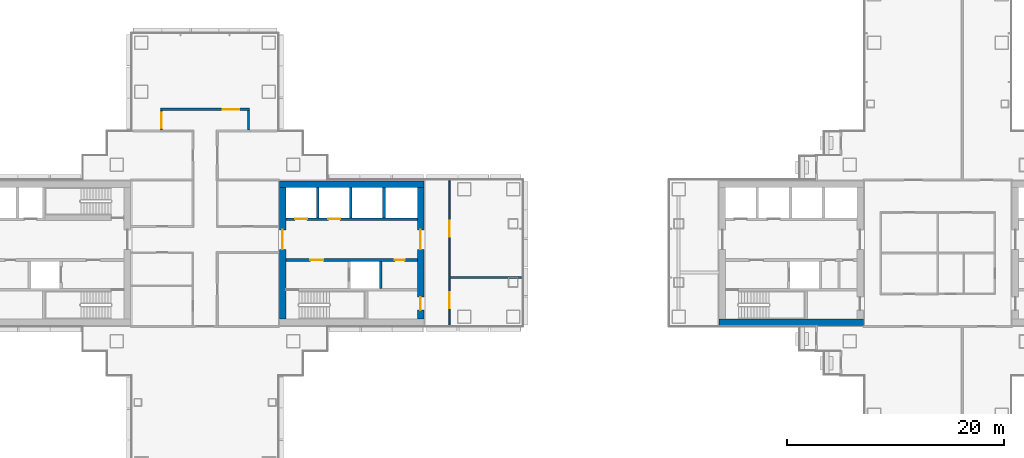
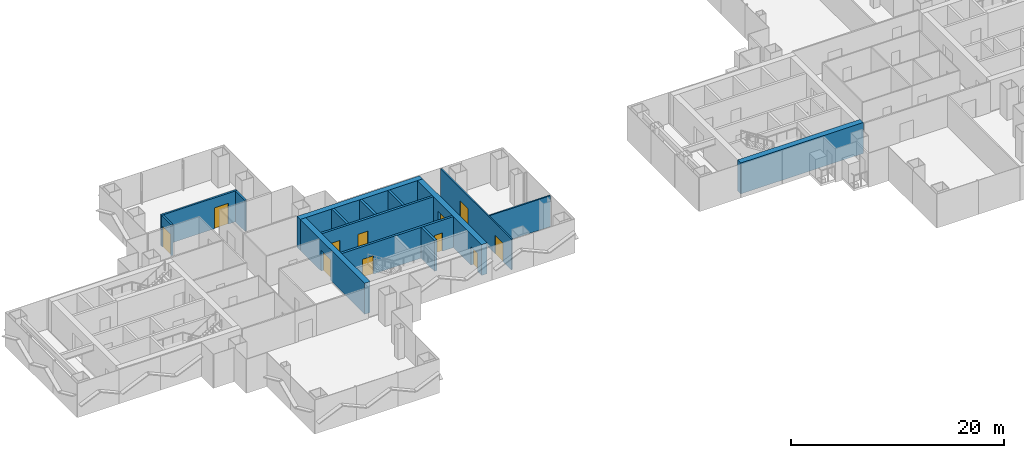
# One storey, part 12 of 19: 15 walls, 11 doors, 11 openings.
"""IFC4 building model written with IfcOpenShell, lengths in metres."""

from ifc_helpers import new_model, si_unit, direction, frame, frame_2d, origin, place, context, subcontext, project, spatial, rectangle, extrude, material, layer, layer_set, type_object, element, fill, save


model = new_model("IFC4")

# Units and contexts
model_context = context("Model", 3, precision=1e-05, world=origin(), true_north=direction((0.0, 1.0)))
body_context = subcontext(model_context, "Body", "Model", "MODEL_VIEW")
ifc_project = project(units=[si_unit("LENGTHUNIT", "METRE"), si_unit("AREAUNIT", "SQUARE_METRE"), si_unit("VOLUMEUNIT", "CUBIC_METRE"), si_unit("PLANEANGLEUNIT", "RADIAN"), si_unit("MASSUNIT", "GRAM", prefix="KILO")], contexts=[model_context])

# Site, building, storey
site_placement = place(None, origin())
site = spatial("IfcSite", under=ifc_project, at=site_placement, CompositionType="ELEMENT")
building_placement = place(site_placement, origin())
building = spatial("IfcBuilding", under=site, at=building_placement, Name="Shamsa Quay Exchange Towers", CompositionType="ELEMENT")
storey_placement = place(building_placement, frame((0.0, 0.0, 97.5)))
storey = spatial("IfcBuildingStorey", under=building, at=storey_placement, Name="L22", CompositionType="ELEMENT", Elevation=97.5)

# Wall, opening, door
ifc_material_1 = material(Name="Double-leaf gypsum board partition with acoustic insulation")
ifc_layer_1 = layer(ifc_material_1, 0.199951171875)
ifc_layer_set_1 = layer_set([ifc_layer_1], Name="Acoustic partition 200 mm EI 60")
wall_type_1 = type_object("IfcWallType", Name="Acoustic partition 200 mm EI 60", PredefinedType="PARTITIONING", material=ifc_layer_set_1)
wall_1_placement = place(storey_placement, frame((-37.75, 13.14990234375, 0.0), z_axis=(0.0, 0.0, 1.0), x_axis=(0.0, -1.0, 0.0)))
wall_1 = element("IfcWall", 1, at=wall_1_placement, inside=storey, type_object=wall_type_1, Name="Partition T1-R09-W13", PredefinedType="PARTITIONING", context=body_context, shape_type="SweptSolid", body=[
    extrude(rectangle(XDim=1.7998046875, YDim=0.199951171875, at=frame_2d((0.89990234375, 0.0))), origin(), (0.0, 0.0, 1.0), 3.550048828125),
])
opening_1_placement = place(wall_1_placement, frame((0.14990234375, 0.0, 0.0)))
opening_1 = element("IfcOpeningElement", 2, at=opening_1_placement, cuts=wall_1, Name="Opening T1-R09-D02", PredefinedType="OPENING", context=body_context, shape_type="SweptSolid", body=[
    extrude(rectangle(XDim=1.5, YDim=2.39990234375, at=frame_2d((0.75, 1.199951171875))), frame((0.0, 0.10986328125, 0.0), z_axis=(0.0, -1.0, 0.0), x_axis=(1.0, 0.0, 0.0)), (0.0, 0.0, 1.0), 0.219970703125),
])
ifc_material_2 = material(Name="Timber door leaf in a metal frame", Category="wood")
door_type_1 = type_object("IfcDoorType", Name="Door 1500x2400 FD30S pair", OperationType="NOTDEFINED", PredefinedType="DOOR", material=ifc_material_2)
door_1_placement = place(opening_1_placement, origin())
door_1 = element("IfcDoor", 3, at=door_1_placement, inside=storey, type_object=door_type_1, Name="Door T1-R09-D02", OperationType="DOUBLE_DOOR_SINGLE_SWING", OverallHeight=2.39990234375, OverallWidth=1.5, PredefinedType="DOOR", context=body_context, shape_type="SweptSolid", body=[
    extrude(rectangle(XDim=1.5, YDim=2.39990234375, at=frame_2d((0.75, 1.199951171875))), frame((0.0, 0.02490234375, 0.0), z_axis=(0.0, -1.0, 0.0), x_axis=(1.0, 0.0, 0.0)), (0.0, 0.0, 1.0), 0.050048828125),
])
fill(opening_1, door_1)

wall_2_placement = place(storey_placement, frame((-29.64990234375, 13.25, 0.0), z_axis=(0.0, 0.0, 1.0), x_axis=(-1.0, 0.0, 0.0)))
wall_2 = element("IfcWall", 4, at=wall_2_placement, inside=storey, type_object=wall_type_1, Name="Partition T1-R09-W14", PredefinedType="PARTITIONING", context=body_context, shape_type="SweptSolid", body=[
    extrude(rectangle(XDim=8.2001953125, YDim=0.199951171875, at=frame_2d((4.10009765625, 0.0))), origin(), (0.0, 0.0, 1.0), 3.550048828125),
])
opening_2_placement = place(wall_2_placement, frame((0.949951171875, 0.0, 0.0)))
opening_2 = element("IfcOpeningElement", 5, at=opening_2_placement, cuts=wall_2, Name="Opening T1-R09-D10", PredefinedType="OPENING", context=body_context, shape_type="SweptSolid", body=[
    extrude(rectangle(XDim=1.5, YDim=2.39990234375, at=frame_2d((0.75, 1.199951171875))), frame((0.0, 0.10986328125, 0.0), z_axis=(0.0, -1.0, 0.0), x_axis=(1.0, 0.0, 0.0)), (0.0, 0.0, 1.0), 0.219970703125),
])
door_2_placement = place(opening_2_placement, origin())
door_2 = element("IfcDoor", 6, at=door_2_placement, inside=storey, type_object=door_type_1, Name="Door T1-R09-D10", OperationType="DOUBLE_DOOR_SINGLE_SWING", OverallHeight=2.39990234375, OverallWidth=1.5, PredefinedType="DOOR", context=body_context, shape_type="SweptSolid", body=[
    extrude(rectangle(XDim=1.5, YDim=2.39990234375, at=frame_2d((0.75, 1.199951171875))), frame((0.0, 0.02490234375, 0.0), z_axis=(0.0, -1.0, 0.0), x_axis=(1.0, 0.0, 0.0)), (0.0, 0.0, 1.0), 0.050048828125),
])
fill(opening_2, door_2)

# Walls
wall_3_placement = place(storey_placement, frame((-29.75, 11.35009765625, 0.0), z_axis=(0.0, 0.0, 1.0), x_axis=(0.0, 1.0, 0.0)))
element("IfcWall", 7, at=wall_3_placement, inside=storey, type_object=wall_type_1, Name="Partition T1-R09-W15", PredefinedType="PARTITIONING", context=body_context, shape_type="SweptSolid", body=[
    extrude(rectangle(XDim=1.7998046875, YDim=0.199951171875, at=frame_2d((0.89990234375, 0.0))), origin(), (0.0, 0.0, 1.0), 3.550048828125),
])
ifc_material_3 = material(Name="Concrete C70/85", Category="concrete")
ifc_layer_2 = layer(ifc_material_3, 0.60009765625)
ifc_layer_set_2 = layer_set([ifc_layer_2], Name="CORE WALL 600 C70/85")
wall_type_2 = type_object("IfcWallType", Name="CORE WALL 600 C70/85", PredefinedType="SHEAR", material=ifc_layer_set_2)
wall_4_placement = place(storey_placement, frame((-26.89990234375, 6.35009765625, 0.0)))
element("IfcWall", 8, at=wall_4_placement, inside=storey, type_object=wall_type_2, Name="Core wall T1A-R09-PN", PredefinedType="SHEAR", context=body_context, shape_type="SweptSolid", body=[
    extrude(rectangle(XDim=13.2998046875, YDim=0.60009765625, at=frame_2d((6.64990234375, 0.0))), origin(), (0.0, 0.0, 1.0), 3.550048828125),
])

# Wall, opening, door
wall_5_placement = place(storey_placement, frame((-26.60009765625, 6.050048828125, 0.0), z_axis=(0.0, 0.0, 1.0), x_axis=(0.0, -1.0, 0.0)))
wall_5 = element("IfcWall", 9, at=wall_5_placement, inside=storey, type_object=wall_type_2, Name="Core wall T1A-R09-PF", PredefinedType="SHEAR", context=body_context, shape_type="SweptSolid", body=[
    extrude(rectangle(XDim=12.10009765625, YDim=0.60009765625, at=frame_2d((6.050048828125, 0.0))), origin(), (0.0, 0.0, 1.0), 3.550048828125),
])
opening_3_placement = place(wall_5_placement, frame((3.89990234375, 0.0, 0.0)))
opening_3 = element("IfcOpeningElement", 10, at=opening_3_placement, cuts=wall_5, Name="Opening T1A-R09-LBD01", PredefinedType="OPENING", context=body_context, shape_type="SweptSolid", body=[
    extrude(rectangle(XDim=1.800048828125, YDim=2.39990234375, at=frame_2d((0.89990234375, 1.199951171875))), frame((0.0, 0.31005859375, 0.0), z_axis=(0.0, -1.0, 0.0), x_axis=(1.0, 0.0, 0.0)), (0.0, 0.0, 1.0), 0.6201171875),
])
ifc_material_4 = material(Name="Steel, fire rated", Category="steel")
door_type_2 = type_object("IfcDoorType", Name="LIFT LOBBY DOOR PAIR 1800", OperationType="DOUBLE_DOOR_SINGLE_SWING", PredefinedType="DOOR", material=ifc_material_4)
door_3_placement = place(opening_3_placement, origin())
door_3 = element("IfcDoor", 11, at=door_3_placement, inside=storey, type_object=door_type_2, Name="T1A-R09-LBD01", OperationType="DOUBLE_DOOR_SINGLE_SWING", OverallHeight=2.39990234375, OverallWidth=1.800048828125, PredefinedType="DOOR", context=body_context, shape_type="SweptSolid", body=[
    extrude(rectangle(XDim=1.800048828125, YDim=2.39990234375, at=frame_2d((0.89990234375, 1.199951171875))), frame((0.0, 0.02490234375, 0.0), z_axis=(0.0, -1.0, 0.0), x_axis=(1.0, 0.0, 0.0)), (0.0, 0.0, 1.0), 0.050048828125),
])
fill(opening_3, door_3)

# Wall, openings, doors
wall_6_placement = place(storey_placement, frame((-13.89990234375, 6.050048828125, 0.0), z_axis=(0.0, 0.0, 1.0), x_axis=(0.0, -1.0, 0.0)))
wall_6 = element("IfcWall", 12, at=wall_6_placement, inside=storey, type_object=wall_type_2, Name="Core wall T1A-R09-PB", PredefinedType="SHEAR", context=body_context, shape_type="SweptSolid", body=[
    extrude(rectangle(XDim=12.10009765625, YDim=0.60009765625, at=frame_2d((6.050048828125, 0.0))), origin(), (0.0, 0.0, 1.0), 3.550048828125),
])
opening_4_placement = place(wall_6_placement, frame((10.10009765625, 0.0, 0.0)))
opening_4 = element("IfcOpeningElement", 13, at=opening_4_placement, cuts=wall_6, Name="Opening T1A-R09-RD02", PredefinedType="OPENING", context=body_context, shape_type="SweptSolid", body=[
    extrude(rectangle(XDim=1.199951171875, YDim=2.10009765625, at=frame_2d((0.60009765625, 1.050048828125))), frame((0.0, 0.31005859375, 0.0), z_axis=(0.0, -1.0, 0.0), x_axis=(1.0, 0.0, 0.0)), (0.0, 0.0, 1.0), 0.6201171875),
])
opening_5_placement = place(wall_6_placement, frame((3.89990234375, 0.0, 0.0)))
opening_5 = element("IfcOpeningElement", 14, at=opening_5_placement, cuts=wall_6, Name="Opening T1A-R09-LBD03", PredefinedType="OPENING", context=body_context, shape_type="SweptSolid", body=[
    extrude(rectangle(XDim=1.800048828125, YDim=2.39990234375, at=frame_2d((0.89990234375, 1.199951171875))), frame((0.0, 0.31005859375, 0.0), z_axis=(0.0, -1.0, 0.0), x_axis=(1.0, 0.0, 0.0)), (0.0, 0.0, 1.0), 0.6201171875),
])
door_4_placement = place(opening_5_placement, origin())
door_4 = element("IfcDoor", 15, at=door_4_placement, inside=storey, type_object=door_type_2, Name="T1A-R09-LBD03", OperationType="DOUBLE_DOOR_SINGLE_SWING", OverallHeight=2.39990234375, OverallWidth=1.800048828125, PredefinedType="DOOR", context=body_context, shape_type="SweptSolid", body=[
    extrude(rectangle(XDim=1.800048828125, YDim=2.39990234375, at=frame_2d((0.89990234375, 1.199951171875))), frame((0.0, 0.02490234375, 0.0), z_axis=(0.0, -1.0, 0.0), x_axis=(1.0, 0.0, 0.0)), (0.0, 0.0, 1.0), 0.050048828125),
])
fill(opening_5, door_4)
door_type_3 = type_object("IfcDoorType", Name="RISER ACCESS DOOR 1200", OperationType="SINGLE_SWING_LEFT", PredefinedType="DOOR", material=ifc_material_4)
door_5_placement = place(opening_4_placement, origin())
door_5 = element("IfcDoor", 16, at=door_5_placement, inside=storey, type_object=door_type_3, Name="T1A-R09-RD02", OperationType="SINGLE_SWING_RIGHT", OverallHeight=2.10009765625, OverallWidth=1.199951171875, PredefinedType="DOOR", context=body_context, shape_type="SweptSolid", body=[
    extrude(rectangle(XDim=1.199951171875, YDim=2.10009765625, at=frame_2d((0.60009765625, 1.050048828125))), frame((0.0, 0.02490234375, 0.0), z_axis=(0.0, -1.0, 0.0), x_axis=(1.0, 0.0, 0.0)), (0.0, 0.0, 1.0), 0.050048828125),
])
fill(opening_4, door_5)

# Wall
wall_7_placement = place(storey_placement, frame((13.60009765625, -6.35009765625, 0.0)))
element("IfcWall", 17, at=wall_7_placement, inside=storey, type_object=wall_type_2, Name="Core wall T2A-R09-PS", PredefinedType="SHEAR", context=body_context, shape_type="SweptSolid", body=[
    extrude(rectangle(XDim=13.2998046875, YDim=0.60009765625, at=frame_2d((6.64990234375, 0.0))), origin(), (0.0, 0.0, 1.0), 3.550048828125),
])

# Wall, openings, doors
ifc_material_5 = material(Name="Gypsum board partition on metal studs")
ifc_layer_3 = layer(ifc_material_5, 0.14990234375)
ifc_layer_set_3 = layer_set([ifc_layer_3], Name="Partition 150 mm EI 60")
wall_type_3 = type_object("IfcWallType", Name="Partition 150 mm EI 60", PredefinedType="PARTITIONING", material=ifc_layer_set_3)
wall_8_placement = place(storey_placement, frame((-11.25, 6.655029296875, 0.0), z_axis=(0.0, 0.0, 1.0), x_axis=(0.0, -1.0, 0.0)))
wall_8 = element("IfcWall", 18, at=wall_8_placement, inside=storey, type_object=wall_type_3, Name="Partition T1-R09-W17", PredefinedType="PARTITIONING", context=body_context, shape_type="SweptSolid", body=[
    extrude(rectangle(XDim=13.31005859375, YDim=0.14990234375, at=frame_2d((6.655029296875, 0.0))), origin(), (0.0, 0.0, 1.0), 3.550048828125),
])
opening_6_placement = place(wall_8_placement, frame((3.655029296875, 0.0, 0.0)))
opening_6 = element("IfcOpeningElement", 19, at=opening_6_placement, cuts=wall_8, Name="Opening T1-R09-D11", PredefinedType="OPENING", context=body_context, shape_type="SweptSolid", body=[
    extrude(rectangle(XDim=1.5, YDim=2.10009765625, at=frame_2d((0.75, 1.050048828125))), frame((0.0, 0.0849609375, 0.0), z_axis=(0.0, -1.0, 0.0), x_axis=(1.0, 0.0, 0.0)), (0.0, 0.0, 1.0), 0.169921875),
])
opening_7_placement = place(wall_8_placement, frame((10.2548828125, 0.0, 0.0)))
opening_7 = element("IfcOpeningElement", 20, at=opening_7_placement, cuts=wall_8, Name="Opening T1-R09-D12", PredefinedType="OPENING", context=body_context, shape_type="SweptSolid", body=[
    extrude(rectangle(XDim=1.5, YDim=2.10009765625, at=frame_2d((0.75, 1.050048828125))), frame((0.0, 0.0849609375, 0.0), z_axis=(0.0, -1.0, 0.0), x_axis=(1.0, 0.0, 0.0)), (0.0, 0.0, 1.0), 0.169921875),
])
door_type_4 = type_object("IfcDoorType", Name="Door 1500x2100 FD30S pair", OperationType="NOTDEFINED", PredefinedType="DOOR", material=ifc_material_2)
door_6_placement = place(opening_6_placement, origin())
door_6 = element("IfcDoor", 21, at=door_6_placement, inside=storey, type_object=door_type_4, Name="Door T1-R09-D11", OperationType="DOUBLE_DOOR_SINGLE_SWING", OverallHeight=2.10009765625, OverallWidth=1.5, PredefinedType="DOOR", context=body_context, shape_type="SweptSolid", body=[
    extrude(rectangle(XDim=1.5, YDim=2.10009765625, at=frame_2d((0.75, 1.050048828125))), frame((0.0, 0.02490234375, 0.0), z_axis=(0.0, -1.0, 0.0), x_axis=(1.0, 0.0, 0.0)), (0.0, 0.0, 1.0), 0.050048828125),
])
fill(opening_6, door_6)
door_7_placement = place(opening_7_placement, origin())
door_7 = element("IfcDoor", 22, at=door_7_placement, inside=storey, type_object=door_type_4, Name="Door T1-R09-D12", OperationType="DOUBLE_DOOR_SINGLE_SWING", OverallHeight=2.10009765625, OverallWidth=1.5, PredefinedType="DOOR", context=body_context, shape_type="SweptSolid", body=[
    extrude(rectangle(XDim=1.5, YDim=2.10009765625, at=frame_2d((0.75, 1.050048828125))), frame((0.0, 0.02490234375, 0.0), z_axis=(0.0, -1.0, 0.0), x_axis=(1.0, 0.0, 0.0)), (0.0, 0.0, 1.0), 0.050048828125),
])
fill(opening_7, door_7)

# Wall
wall_9_placement = place(storey_placement, frame((-4.594970703125, -2.25, 0.0), z_axis=(0.0, 0.0, 1.0), x_axis=(-1.0, 0.0, 0.0)))
element("IfcWall", 23, at=wall_9_placement, inside=storey, type_object=wall_type_3, Name="Partition T1-R09-W25", PredefinedType="PARTITIONING", context=body_context, shape_type="SweptSolid", body=[
    extrude(rectangle(XDim=6.580078125, YDim=0.14990234375, at=frame_2d((3.2900390625, 0.0))), origin(), (0.0, 0.0, 1.0), 3.550048828125),
])

# Wall, openings, doors
ifc_material_6 = material(Name="Concrete C50/60", Category="concrete")
ifc_layer_4 = layer(ifc_material_6, 0.25)
ifc_layer_set_4 = layer_set([ifc_layer_4], Name="SHAFT WALL 250 C50/60")
wall_type_4 = type_object("IfcWallType", Name="SHAFT WALL 250 C50/60", PredefinedType="SHEAR", material=ifc_layer_set_4)
wall_10_placement = place(storey_placement, frame((-14.199951171875, -0.625, 0.0), z_axis=(0.0, 0.0, 1.0), x_axis=(-1.0, 0.0, 0.0)))
wall_10 = element("IfcWall", 24, at=wall_10_placement, inside=storey, type_object=wall_type_4, Name="Shaft wall T1A-R09-B", PredefinedType="SHEAR", context=body_context, shape_type="SweptSolid", body=[
    extrude(rectangle(XDim=12.10009765625, YDim=0.25, at=frame_2d((6.050048828125, 0.0))), origin(), (0.0, 0.0, 1.0), 3.550048828125),
])
opening_8_placement = place(wall_10_placement, frame((8.64990234375, 0.0, 0.0)))
opening_8 = element("IfcOpeningElement", 25, at=opening_8_placement, cuts=wall_10, Name="Opening T1A-R09-FD05", PredefinedType="OPENING", context=body_context, shape_type="SweptSolid", body=[
    extrude(rectangle(XDim=1.199951171875, YDim=2.10009765625, at=frame_2d((0.60009765625, 1.050048828125))), frame((0.0, 0.135009765625, 0.0), z_axis=(0.0, -1.0, 0.0), x_axis=(1.0, 0.0, 0.0)), (0.0, 0.0, 1.0), 0.27001953125),
])
opening_9_placement = place(wall_10_placement, frame((1.175048828125, 0.0, 0.0)))
opening_9 = element("IfcOpeningElement", 26, at=opening_9_placement, cuts=wall_10, Name="Opening T1A-R09-SV06", PredefinedType="OPENING", context=body_context, shape_type="SweptSolid", body=[
    extrude(rectangle(XDim=0.89990234375, YDim=2.10009765625, at=frame_2d((0.449951171875, 1.050048828125))), frame((0.0, 0.135009765625, 0.0), z_axis=(0.0, -1.0, 0.0), x_axis=(1.0, 0.0, 0.0)), (0.0, 0.0, 1.0), 0.27001953125),
])
door_type_5 = type_object("IfcDoorType", Name="FIRE SERVICE LOBBY DOOR 1200", OperationType="SINGLE_SWING_LEFT", PredefinedType="DOOR", material=ifc_material_4)
door_8_placement = place(opening_8_placement, origin())
door_8 = element("IfcDoor", 27, at=door_8_placement, inside=storey, type_object=door_type_5, Name="T1A-R09-FD05", OperationType="SINGLE_SWING_RIGHT", OverallHeight=2.10009765625, OverallWidth=1.199951171875, PredefinedType="DOOR", context=body_context, shape_type="SweptSolid", body=[
    extrude(rectangle(XDim=1.199951171875, YDim=2.10009765625, at=frame_2d((0.60009765625, 1.050048828125))), frame((0.0, 0.02490234375, 0.0), z_axis=(0.0, -1.0, 0.0), x_axis=(1.0, 0.0, 0.0)), (0.0, 0.0, 1.0), 0.050048828125),
])
fill(opening_8, door_8)
door_type_6 = type_object("IfcDoorType", Name="SERVICE ROOM DOOR 900", OperationType="SINGLE_SWING_LEFT", PredefinedType="DOOR", material=ifc_material_4)
door_9_placement = place(opening_9_placement, origin())
door_9 = element("IfcDoor", 28, at=door_9_placement, inside=storey, type_object=door_type_6, Name="T1A-R09-SV06", OperationType="SINGLE_SWING_LEFT", OverallHeight=2.10009765625, OverallWidth=0.89990234375, PredefinedType="DOOR", context=body_context, shape_type="SweptSolid", body=[
    extrude(rectangle(XDim=0.89990234375, YDim=2.10009765625, at=frame_2d((0.449951171875, 1.050048828125))), frame((0.0, 0.02490234375, 0.0), z_axis=(0.0, -1.0, 0.0), x_axis=(1.0, 0.0, 0.0)), (0.0, 0.0, 1.0), 0.050048828125),
])
fill(opening_9, door_9)

# Wall
wall_11_placement = place(storey_placement, frame((-17.574951171875, -3.25, 0.0), z_axis=(0.0, 0.0, 1.0), x_axis=(0.0, 1.0, 0.0)))
element("IfcWall", 29, at=wall_11_placement, inside=storey, type_object=wall_type_4, Name="Shaft wall T1A-R09-FFB", PredefinedType="SHEAR", context=body_context, shape_type="SweptSolid", body=[
    extrude(rectangle(XDim=2.5, YDim=0.25, at=frame_2d((1.25, 0.0))), origin(), (0.0, 0.0, 1.0), 3.550048828125),
])

# Wall, openings, doors
wall_12_placement = place(storey_placement, frame((-26.300048828125, 3.125, 0.0)))
wall_12 = element("IfcWall", 30, at=wall_12_placement, inside=storey, type_object=wall_type_4, Name="Shaft wall T1A-R09-N", PredefinedType="SHEAR", context=body_context, shape_type="SweptSolid", body=[
    extrude(rectangle(XDim=12.10009765625, YDim=0.25, at=frame_2d((6.050048828125, 0.0))), origin(), (0.0, 0.0, 1.0), 3.550048828125),
])
opening_10_placement = place(wall_12_placement, frame((0.85009765625, 0.0, 0.0)))
opening_10 = element("IfcOpeningElement", 31, at=opening_10_placement, cuts=wall_12, Name="Opening T1A-R09-LD08", PredefinedType="OPENING", context=body_context, shape_type="SweptSolid", body=[
    extrude(rectangle(XDim=1.10009765625, YDim=2.10009765625, at=frame_2d((0.550048828125, 1.050048828125))), frame((0.0, 0.135009765625, 0.0), z_axis=(0.0, -1.0, 0.0), x_axis=(1.0, 0.0, 0.0)), (0.0, 0.0, 1.0), 0.27001953125),
])
opening_11_placement = place(wall_12_placement, frame((3.89990234375, 0.0, 0.0)))
opening_11 = element("IfcOpeningElement", 32, at=opening_11_placement, cuts=wall_12, Name="Opening T1A-R09-LD09", PredefinedType="OPENING", context=body_context, shape_type="SweptSolid", body=[
    extrude(rectangle(XDim=1.10009765625, YDim=2.10009765625, at=frame_2d((0.550048828125, 1.050048828125))), frame((0.0, 0.135009765625, 0.0), z_axis=(0.0, -1.0, 0.0), x_axis=(1.0, 0.0, 0.0)), (0.0, 0.0, 1.0), 0.27001953125),
])
door_type_7 = type_object("IfcDoorType", Name="LANDING DOOR 1100", OperationType="SLIDING_TO_LEFT", PredefinedType="DOOR", material=ifc_material_4)
door_10_placement = place(opening_10_placement, origin())
door_10 = element("IfcDoor", 33, at=door_10_placement, inside=storey, type_object=door_type_7, Name="T1A-R09-LD08", OperationType="SLIDING_TO_LEFT", OverallHeight=2.10009765625, OverallWidth=1.10009765625, PredefinedType="DOOR", context=body_context, shape_type="SweptSolid", body=[
    extrude(rectangle(XDim=1.10009765625, YDim=2.10009765625, at=frame_2d((0.550048828125, 1.050048828125))), frame((0.0, 0.02490234375, 0.0), z_axis=(0.0, -1.0, 0.0), x_axis=(1.0, 0.0, 0.0)), (0.0, 0.0, 1.0), 0.050048828125),
])
fill(opening_10, door_10)
door_11_placement = place(opening_11_placement, origin())
door_11 = element("IfcDoor", 34, at=door_11_placement, inside=storey, type_object=door_type_7, Name="T1A-R09-LD09", OperationType="SLIDING_TO_LEFT", OverallHeight=2.10009765625, OverallWidth=1.10009765625, PredefinedType="DOOR", context=body_context, shape_type="SweptSolid", body=[
    extrude(rectangle(XDim=1.10009765625, YDim=2.10009765625, at=frame_2d((0.550048828125, 1.050048828125))), frame((0.0, 0.02490234375, 0.0), z_axis=(0.0, -1.0, 0.0), x_axis=(1.0, 0.0, 0.0)), (0.0, 0.0, 1.0), 0.050048828125),
])
fill(opening_11, door_11)

# Walls
for number, where, z_axis, x_axis, name in (
    (35, (-23.375, 3.25, 0.0), (0.0, 0.0, 1.0), (0.0, 1.0, 0.0), "Shaft wall T1A-R09-D0"),
    (36, (-20.324951171875, 3.25, 0.0), (0.0, 0.0, 1.0), (0.0, 1.0, 0.0), "Shaft wall T1A-R09-D1"),
    (37, (-17.27490234375, 3.25, 0.0), (0.0, 0.0, 1.0), (0.0, 1.0, 0.0), "Shaft wall T1A-R09-D2"),
):
    element("IfcWall", number, at=place(storey_placement, frame(where, z_axis=z_axis, x_axis=x_axis)), inside=storey, type_object=wall_type_4, Name=name, PredefinedType="SHEAR", context=body_context, shape_type="SweptSolid", body=[
        extrude(rectangle(XDim=2.800048828125, YDim=0.25, at=frame_2d((1.39990234375, 0.0))), origin(), (0.0, 0.0, 1.0), 3.550048828125),
    ])

save(model, "model.ifc")
